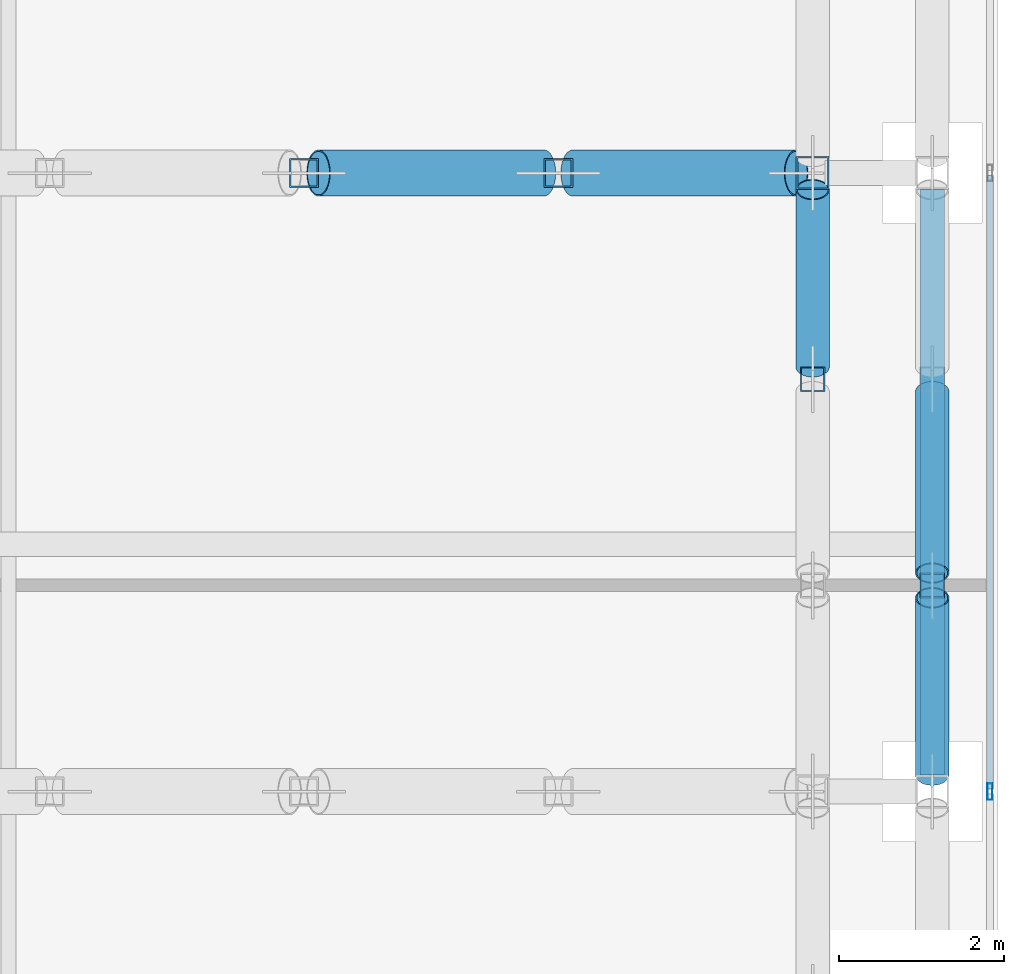
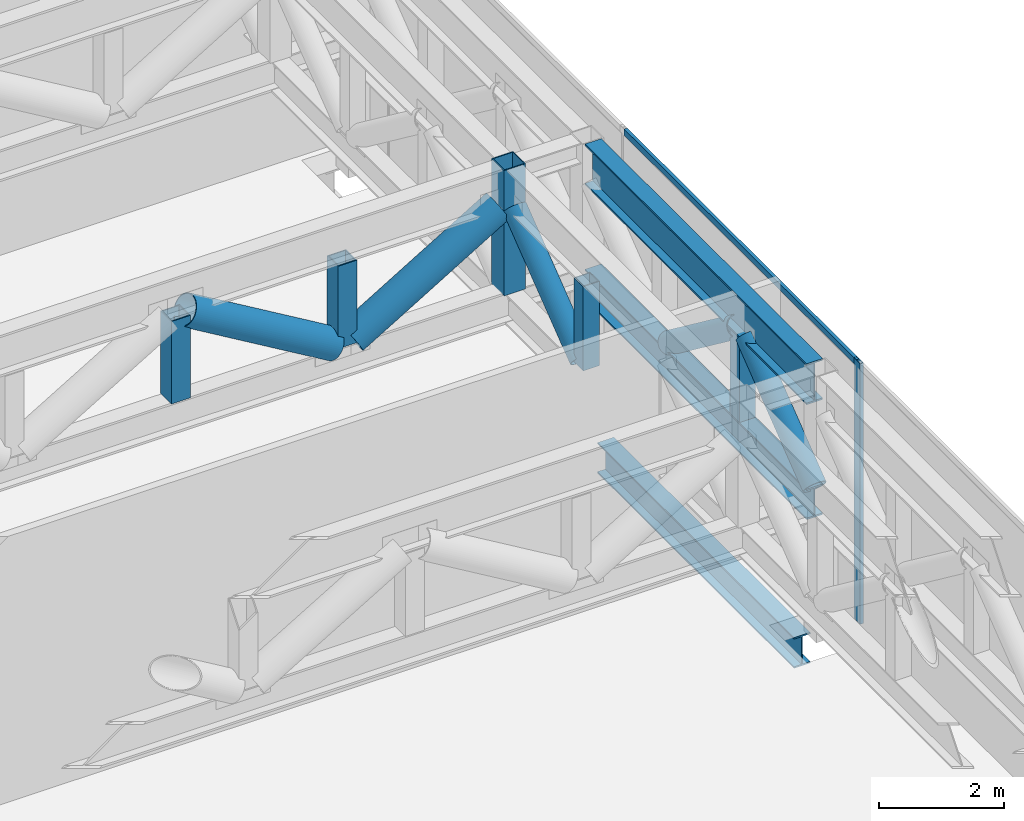
# One storey, part 14 of 39: 14 members, 1 beam, 1 element without a shape of its own.
"""IFC4 building model written with IfcOpenShell, lengths in metres."""

from ifc_helpers import new_model, si_unit, direction, frame, origin, origin_2d, place, context, subcontext, project, spatial, hollow_rectangle, hollow_circle, i_section, extrude, source, transform, mapped, material, material_profile, profile_set, type_object, element, aggregate, save


model = new_model("IFC4")

# Units and contexts
model_context = context("Model", 3, precision=1e-05, world=origin(), true_north=direction((0.0, 1.0)))
body_context = subcontext(model_context, "Body", "Model", "MODEL_VIEW")
ifc_project = project(units=[si_unit("LENGTHUNIT", "METRE"), si_unit("AREAUNIT", "SQUARE_METRE"), si_unit("VOLUMEUNIT", "CUBIC_METRE"), si_unit("PLANEANGLEUNIT", "RADIAN"), si_unit("MASSUNIT", "GRAM", prefix="KILO")], contexts=[model_context])

# Site, building, storey
site_placement = place(None, origin())
site = spatial("IfcSite", under=ifc_project, at=site_placement, CompositionType="ELEMENT")
building_placement = place(site_placement, origin())
building = spatial("IfcBuilding", under=site, at=building_placement, Name="Khomas Fold Tower", CompositionType="ELEMENT")
storey_placement = place(building_placement, frame((0.0, 0.0, 96.0)))
storey = spatial("IfcBuildingStorey", under=building, at=storey_placement, Name="L20", CompositionType="ELEMENT", Elevation=96.0)

# Beam
ifc_material_1 = material(Name="Steel S355", Category="steel")
ifc_material_profile_1 = material_profile(ifc_material_1, i_section(OverallWidth=0.300048828125, OverallDepth=0.60009765625, WebThickness=0.015380859375, FlangeThickness=0.030029296875, at=origin_2d()), Name="HE 600 B")
ifc_profile_set_1 = profile_set([ifc_material_profile_1], Name="Steel S355")
beam_type = type_object("IfcBeamType", Name="HE 600 B spandrel SB1", PredefinedType="SPANDREL", material=ifc_profile_set_1)
shared_shape_1 = source(origin(), body_context, "Body", "SweptSolid", [
    extrude(i_section(OverallWidth=0.300048828125, OverallDepth=0.60009765625, WebThickness=0.015380859375, FlangeThickness=0.030029296875, at=origin_2d()), origin(), (0.0, 0.0, 1.0), 6.2998046875),
])
beam_placement = place(storey_placement, frame((53.199951171875, 20.10009765625, -0.699951171875), z_axis=(0.0, 1.0, 0.0), x_axis=(-1.0, 0.0, 0.0)))
element("IfcBeam", 1, at=beam_placement, inside=storey, type_object=beam_type, Name="SB1", PredefinedType="SPANDREL", context=body_context, shape_type="MappedRepresentation", body=[
    mapped(shared_shape_1, transform((0.0, 0.0, 0.0))),
])

# Members
ifc_material_2 = material(Name="Steel S355", Category="steel")
ifc_material_profile_2 = material_profile(ifc_material_2, hollow_rectangle(XDim=0.300048828125, YDim=0.300048828125, WallThickness=0.01611328125, at=origin_2d()), Name="SHS 300x300x16")
ifc_profile_set_2 = profile_set([ifc_material_profile_2], Name="Steel S355")
member_type_1 = type_object("IfcMemberType", Name="BELT TRUSS 1 MID POST SHS 300x300x16", PredefinedType="POST", material=ifc_profile_set_2)
shared_shape_2 = source(origin(), body_context, "Body", "SweptSolid", [
    extrude(hollow_rectangle(XDim=0.300048828125, YDim=0.300048828125, WallThickness=0.01611328125, at=origin_2d()), origin(), (0.0, 0.0, 1.0), 1.64990234375),
])
for number, where, z_axis, x_axis, name in (
    (2, (53.199951171875, 22.0, 2.75), (0.0, 0.0, 1.0), (1.0, 0.0, 0.0), "BT1-M"),
    (3, (51.75, 24.5, 2.75), (0.0, 0.0, 1.0), (1.0, 0.0, 0.0), "BT1-M"),
):
    element("IfcMember", number, at=place(storey_placement, frame(where, z_axis=z_axis, x_axis=x_axis)), inside=storey, type_object=member_type_1, Name=name, PredefinedType="POST", context=body_context, shape_type="MappedRepresentation", body=[
        mapped(shared_shape_2, transform((0.0, 0.0, 0.0))),
    ])
ifc_material_3 = material(Name="Steel S460M", Category="steel")
ifc_material_profile_3 = material_profile(ifc_material_3, i_section(OverallWidth=0.300048828125, OverallDepth=0.800048828125, WebThickness=0.017578125, FlangeThickness=0.032958984375, at=origin_2d()), Name="HE 800 B")
ifc_profile_set_3 = profile_set([ifc_material_profile_3], Name="Steel S460M")
member_type_2 = type_object("IfcMemberType", Name="BELT TRUSS 1 TOP CHORD HE 800 B", PredefinedType="CHORD", material=ifc_profile_set_3)
shared_shape_3 = source(origin(), body_context, "Body", "SweptSolid", [
    extrude(i_section(OverallWidth=0.300048828125, OverallDepth=0.800048828125, WebThickness=0.017578125, FlangeThickness=0.032958984375, at=origin_2d()), origin(), (0.0, 0.0, 1.0), 7.10009765625),
])
member_1_placement = place(storey_placement, frame((53.199951171875, 19.699951171875, 4.800048828125), z_axis=(0.0, 1.0, 0.0), x_axis=(-1.0, 0.0, 0.0)))
element("IfcMember", 4, at=member_1_placement, inside=storey, type_object=member_type_2, Name="BT1-CT", PredefinedType="CHORD", context=body_context, shape_type="MappedRepresentation", body=[
    mapped(shared_shape_3, transform((0.0, 0.0, 0.0))),
])
ifc_material_4 = material(Name="Steel S355", Category="steel")
ifc_material_profile_4 = material_profile(ifc_material_4, i_section(OverallWidth=0.300048828125, OverallDepth=0.60009765625, WebThickness=0.015380859375, FlangeThickness=0.030029296875, at=origin_2d()), Name="HE 600 B")
ifc_profile_set_4 = profile_set([ifc_material_profile_4], Name="Steel S355")
member_type_3 = type_object("IfcMemberType", Name="BELT TRUSS 1 BOTTOM CHORD HE 600 B", PredefinedType="CHORD", material=ifc_profile_set_4)
shared_shape_4 = source(origin(), body_context, "Body", "SweptSolid", [
    extrude(i_section(OverallWidth=0.300048828125, OverallDepth=0.60009765625, WebThickness=0.015380859375, FlangeThickness=0.030029296875, at=origin_2d()), origin(), (0.0, 0.0, 1.0), 7.10009765625),
])
member_2_placement = place(storey_placement, frame((53.199951171875, 19.699951171875, 2.449951171875), z_axis=(0.0, 1.0, 0.0), x_axis=(-1.0, 0.0, 0.0)))
element("IfcMember", 5, at=member_2_placement, inside=storey, type_object=member_type_3, Name="BT1-CB", PredefinedType="CHORD", context=body_context, shape_type="MappedRepresentation", body=[
    mapped(shared_shape_4, transform((0.0, 0.0, 0.0))),
])
ifc_material_5 = material(Name="Steel S355", Category="steel")
ifc_material_profile_5 = material_profile(ifc_material_5, hollow_circle(Radius=0.203125, WallThickness=0.01611328125, at=origin_2d()), Name="CHS 406.4x16")
ifc_profile_set_5 = profile_set([ifc_material_profile_5], Name="Steel S355")
member_type_4 = type_object("IfcMemberType", Name="BELT TRUSS 1 DIAGONAL CHS 406.4x16", PredefinedType="BRACE", material=ifc_profile_set_5)
shared_shape_5 = source(origin(), body_context, "Body", "SweptSolid", [
    extrude(hollow_circle(Radius=0.203125, WallThickness=0.01611328125, at=origin_2d()), origin(), (0.0, 0.0, 1.0), 2.71630859375),
])
for number, where, z_axis, x_axis, name in (
    (6, (53.199951171875, 19.699951171875, 2.7451171875), (0.0, 0.791563625226, 0.611086759159), (-1.0, 0.0, 0.0), "BT1-D"),
    (7, (51.75, 24.64990234375, 2.7451171875), (0.0, 0.791563625226, 0.611086759159), (-1.0, 0.0, 0.0), "BT1-D"),
):
    element("IfcMember", number, at=place(storey_placement, frame(where, z_axis=z_axis, x_axis=x_axis)), inside=storey, type_object=member_type_4, Name=name, PredefinedType="BRACE", context=body_context, shape_type="MappedRepresentation", body=[
        mapped(shared_shape_5, transform((0.0, 0.0, 0.0))),
    ])
shared_shape_6 = source(origin(), body_context, "Body", "SweptSolid", [
    extrude(hollow_circle(Radius=0.203125, WallThickness=0.01611328125, at=origin_2d()), origin(), (0.0, 0.0, 1.0), 2.756103515625),
])
member_3_placement = place(storey_placement, frame((53.199951171875, 22.14990234375, 4.405029296875), z_axis=(0.0, 0.798296022167, -0.602265274602), x_axis=(-1.0, 0.0, 0.0)))
element("IfcMember", 8, at=member_3_placement, inside=storey, type_object=member_type_4, Name="BT1-D", PredefinedType="BRACE", context=body_context, shape_type="MappedRepresentation", body=[
    mapped(shared_shape_6, transform((0.0, 0.0, 0.0))),
])
ifc_material_6 = material(Name="Steel S460M", Category="steel")
ifc_material_profile_6 = material_profile(ifc_material_6, hollow_rectangle(XDim=0.39990234375, YDim=0.39990234375, WallThickness=0.02001953125, at=origin_2d()), Name="SHS 400x400x20")
ifc_profile_set_6 = profile_set([ifc_material_profile_6], Name="Steel S460M")
member_type_5 = type_object("IfcMemberType", Name="BELT TRUSS 1 COLUMN POST SHS 400x400x20", PredefinedType="POST", material=ifc_profile_set_6)
shared_shape_7 = source(origin(), body_context, "Body", "SweptSolid", [
    extrude(hollow_rectangle(XDim=0.39990234375, YDim=0.39990234375, WallThickness=0.02001953125, at=origin_2d()), origin(), (0.0, 0.0, 1.0), 2.449951171875),
])
member_4_placement = place(storey_placement, frame((51.75, 27.0, 2.75), z_axis=(0.0, 0.0, 1.0), x_axis=(1.0, 0.0, 0.0)))
element("IfcMember", 9, at=member_4_placement, inside=storey, type_object=member_type_5, Name="BT1-P", PredefinedType="POST", context=body_context, shape_type="MappedRepresentation", body=[
    mapped(shared_shape_7, transform((0.0, 0.0, 0.0))),
])
ifc_material_7 = material(Name="Steel S355", Category="steel")
ifc_material_profile_7 = material_profile(ifc_material_7, hollow_circle(Radius=0.279541015625, WallThickness=0.01611328125, at=origin_2d()), Name="CHS 559x16")
ifc_profile_set_7 = profile_set([ifc_material_profile_7], Name="Steel S355")
member_type_6 = type_object("IfcMemberType", Name="OUTRIGGER 1 DIAGONAL CHS 559x16", PredefinedType="BRACE", material=ifc_profile_set_7)
shared_shape_8 = source(origin(), body_context, "Body", "SweptSolid", [
    extrude(hollow_circle(Radius=0.279541015625, WallThickness=0.01611328125, at=origin_2d()), origin(), (0.0, 0.0, 1.0), 3.1806640625),
])
member_5_placement = place(storey_placement, frame((45.75830078125, 27.0, 4.39111328125), z_axis=(0.859403714634, 0.0, -0.511297619076), x_axis=(0.0, 1.0, 0.0)))
element("IfcMember", 10, at=member_5_placement, inside=storey, type_object=member_type_6, Name="OR1-D", PredefinedType="BRACE", context=body_context, shape_type="MappedRepresentation", body=[
    mapped(shared_shape_8, transform((0.0, 0.0, 0.0))),
])
shared_shape_9 = source(origin(), body_context, "Body", "SweptSolid", [
    extrude(hollow_circle(Radius=0.279541015625, WallThickness=0.01611328125, at=origin_2d()), origin(), (0.0, 0.0, 1.0), 3.1591796875),
])
member_6_placement = place(storey_placement, frame((48.841552734375, 27.0, 2.764892578125), z_axis=(0.857336054445, 0.0, 0.51475711724), x_axis=(0.0, 1.0, 0.0)))
element("IfcMember", 11, at=member_6_placement, inside=storey, type_object=member_type_6, Name="OR1-D", PredefinedType="BRACE", context=body_context, shape_type="MappedRepresentation", body=[
    mapped(shared_shape_9, transform((0.0, 0.0, 0.0))),
])
ifc_material_8 = material(Name="Steel S355", Category="steel")
ifc_material_profile_8 = material_profile(ifc_material_8, hollow_rectangle(XDim=0.35009765625, YDim=0.35009765625, WallThickness=0.02001953125, at=origin_2d()), Name="SHS 350x350x20")
ifc_profile_set_8 = profile_set([ifc_material_profile_8], Name="Steel S355")
member_type_7 = type_object("IfcMemberType", Name="OUTRIGGER 1 MID POST SHS 350x350x20", PredefinedType="POST", material=ifc_profile_set_8)
shared_shape_10 = source(origin(), body_context, "Body", "SweptSolid", [
    extrude(hollow_rectangle(XDim=0.35009765625, YDim=0.35009765625, WallThickness=0.02001953125, at=origin_2d()), origin(), (0.0, 0.0, 1.0), 1.615966796875),
])
for number, where, z_axis, x_axis, name in (
    (12, (45.583251953125, 27.0, 2.77001953125), (0.0, 0.0, 1.0), (1.0, 0.0, 0.0), "OR1-M"),
    (13, (48.666748046875, 27.0, 2.77001953125), (0.0, 0.0, 1.0), (1.0, 0.0, 0.0), "OR1-M"),
):
    element("IfcMember", number, at=place(storey_placement, frame(where, z_axis=z_axis, x_axis=x_axis)), inside=storey, type_object=member_type_7, Name=name, PredefinedType="POST", context=body_context, shape_type="MappedRepresentation", body=[
        mapped(shared_shape_10, transform((0.0, 0.0, 0.0))),
    ])

# Curtain wall, members
ifc_material_9 = material(Name="Aluminium framed double glazing", Category="aluminium")
curtain_wall_type = type_object("IfcCurtainWallType", Name="SK-Plant louvre wall CW4", PredefinedType="NOTDEFINED", material=ifc_material_9)
curtain_wall_placement = place(storey_placement, origin())
curtain_wall = element("IfcCurtainWall", 14, at=curtain_wall_placement, inside=storey, type_object=curtain_wall_type, Name="CW4 run L20 03-0", PredefinedType="NOTDEFINED")
ifc_material_10 = material(Name="Aluminium", Category="aluminium")
ifc_material_profile_9 = material_profile(ifc_material_10, hollow_rectangle(XDim=0.06005859375, YDim=0.199951171875, WallThickness=0.00390625, at=origin_2d()), Name="SK-Plant louvre wall mullion CW4-M")
ifc_profile_set_9 = profile_set([ifc_material_profile_9], Name="Aluminium")
member_type_8 = type_object("IfcMemberType", Name="SK-Plant louvre wall mullion CW4-M", PredefinedType="MULLION", material=ifc_profile_set_9)
shared_shape_11 = source(origin(), body_context, "Body", "SweptSolid", [
    extrude(hollow_rectangle(XDim=0.06005859375, YDim=0.199951171875, WallThickness=0.00390625, at=origin_2d()), origin(), (0.0, 0.0, 1.0), 5.10009765625),
])
member_7_placement = place(storey_placement, frame((53.89990234375, 19.5, 0.0), z_axis=(0.0, 0.0, 1.0), x_axis=(-1.0, 0.0, 0.0)))
member_7 = element("IfcMember", 15, at=member_7_placement, type_object=member_type_8, Name="CW4 mullion 4", PredefinedType="MULLION", context=body_context, shape_type="MappedRepresentation", body=[
    mapped(shared_shape_11, transform((0.0, 0.0, 0.0))),
])
ifc_material_11 = material(Name="Aluminium", Category="aluminium")
ifc_material_profile_10 = material_profile(ifc_material_11, hollow_rectangle(XDim=0.06005859375, YDim=0.1201171875, WallThickness=0.00390625, at=origin_2d()), Name="SK-Plant louvre wall transom CW4-T")
ifc_profile_set_10 = profile_set([ifc_material_profile_10], Name="Aluminium")
member_type_9 = type_object("IfcMemberType", Name="SK-Plant louvre wall transom CW4-T", PredefinedType="USERDEFINED", material=ifc_profile_set_10)
shared_shape_12 = source(origin(), body_context, "Body", "SweptSolid", [
    extrude(hollow_rectangle(XDim=0.06005859375, YDim=0.1201171875, WallThickness=0.00390625, at=origin_2d()), origin(), (0.0, 0.0, 1.0), 7.43994140625),
])
member_8_placement = place(storey_placement, frame((53.89990234375, 19.530029296875, 5.0400390625), z_axis=(0.0, 1.0, 0.0), x_axis=(-1.0, 0.0, 0.0)))
member_8 = element("IfcMember", 16, at=member_8_placement, type_object=member_type_9, Name="CW4 transom 4", ObjectType="TRANSOM", PredefinedType="USERDEFINED", context=body_context, shape_type="MappedRepresentation", body=[
    mapped(shared_shape_12, transform((0.0, 0.0, 0.0))),
])
aggregate(curtain_wall, [member_7, member_8])

save(model, "model.ifc")
